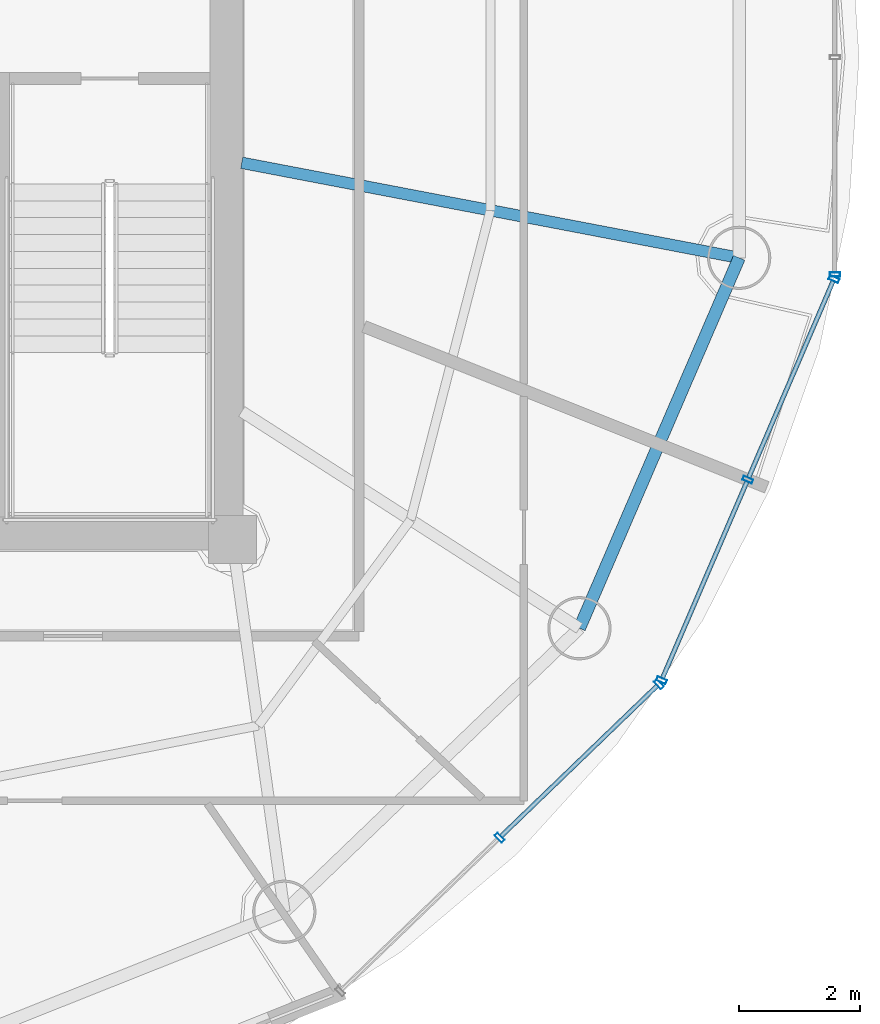
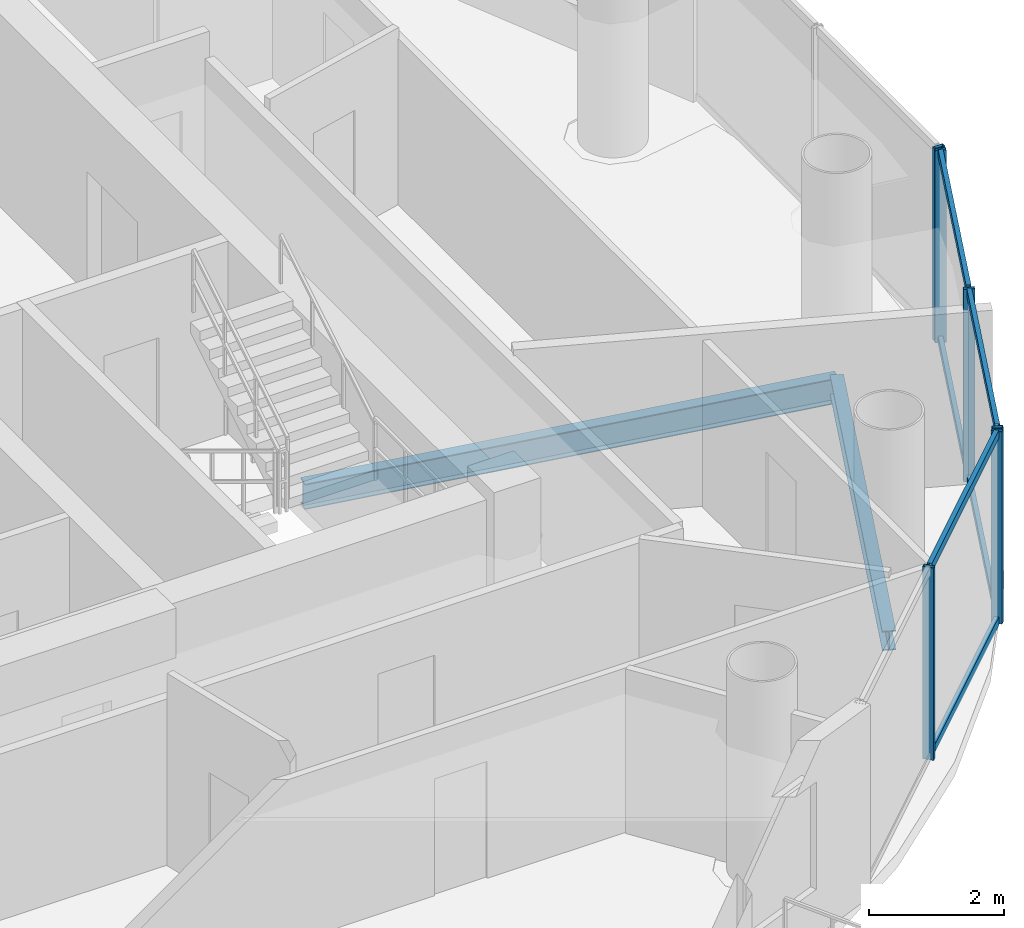
# One storey, part 10 of 23: 12 members, 2 beams, 3 elements without a shape of their own.
"""IFC4 building model written with IfcOpenShell, lengths in metres."""

from ifc_helpers import new_model, si_unit, direction, frame, origin, origin_2d, place, context, subcontext, project, spatial, hollow_rectangle, i_section, extrude, source, transform, mapped, material, material_profile, profile_set, type_object, element, aggregate, save


model = new_model("IFC4")

# Units and contexts
model_context = context("Model", 3, precision=1e-05, world=origin(), true_north=direction((-0.2419218956, 0.970295726276)))
body_context = subcontext(model_context, "Body", "Model", "MODEL_VIEW")
ifc_project = project(units=[si_unit("LENGTHUNIT", "METRE"), si_unit("AREAUNIT", "SQUARE_METRE"), si_unit("VOLUMEUNIT", "CUBIC_METRE"), si_unit("PLANEANGLEUNIT", "RADIAN"), si_unit("MASSUNIT", "GRAM", prefix="KILO")], contexts=[model_context])

# Site, building, storey
site_placement = place(None, origin())
site = spatial("IfcSite", under=ifc_project, at=site_placement, CompositionType="ELEMENT")
building_placement = place(site_placement, origin())
building = spatial("IfcBuilding", under=site, at=building_placement, Name="Cobrevalo Terracotta Tower", CompositionType="ELEMENT")
storey_placement = place(building_placement, frame((0.0, 0.0, 255.699951171875)))
storey = spatial("IfcBuildingStorey", under=building, at=storey_placement, Name="L67", CompositionType="ELEMENT", Elevation=255.699951171875)

# Beams
ifc_material_1 = material(Name="Steel S355", Category="steel")
ifc_material_profile_1 = material_profile(ifc_material_1, i_section(OverallWidth=0.19091796875, OverallDepth=0.4599609375, WebThickness=0.010009765625, FlangeThickness=0.01611328125, at=origin_2d()), Name="W 460x82")
ifc_profile_set_1 = profile_set([ifc_material_profile_1], Name="Steel S355")
beam_type_1 = type_object("IfcBeamType", Name="Structural Beam W 460x82 (Steel S355)", PredefinedType="BEAM", material=ifc_profile_set_1)
beam_1_placement = place(storey_placement, frame((55.408935546875, 23.4736328125, -0.489990234375), z_axis=(-0.982229562106, 0.187683476432, 0.0), x_axis=(-0.187683476432, -0.982229562106, 0.0)))
element("IfcBeam", 1, at=beam_1_placement, inside=storey, type_object=beam_type_1, Name="L67 radial floor girder 16", PredefinedType="BEAM", context=body_context, shape_type="SweptSolid", body=[
    extrude(i_section(OverallWidth=0.19091796875, OverallDepth=0.4599609375, WebThickness=0.010009765625, FlangeThickness=0.01611328125, at=origin_2d()), origin(), (0.0, 0.0, 1.0), 8.4033203125),
])
ifc_material_profile_2 = material_profile(ifc_material_1, i_section(OverallWidth=0.205078125, OverallDepth=0.35400390625, WebThickness=0.009521484375, FlangeThickness=0.016845703125, at=origin_2d()), Name="W 360x79")
ifc_profile_set_2 = profile_set([ifc_material_profile_2], Name="Steel S355")
beam_type_2 = type_object("IfcBeamType", Name="Structural Spandrel W 360x79 (Steel S355)", PredefinedType="SPANDREL", material=ifc_profile_set_2)
beam_2_placement = place(storey_placement, frame((52.758544921875, 17.32763671875, -0.43701171875), z_axis=(0.395987390706, 0.918255948198, 0.0), x_axis=(-0.918255948198, 0.395987390706, 0.0)))
element("IfcBeam", 2, at=beam_2_placement, inside=storey, type_object=beam_type_2, Name="L67 perimeter ring spandrel 15", PredefinedType="SPANDREL", context=body_context, shape_type="SweptSolid", body=[
    extrude(i_section(OverallWidth=0.205078125, OverallDepth=0.35400390625, WebThickness=0.009521484375, FlangeThickness=0.016845703125, at=origin_2d()), origin(), (0.0, 0.0, 1.0), 6.693115234375),
])

# Curtain wall, members
ifc_material_2 = material(Name="Anodized aluminium", Category="aluminium")
curtain_wall_type = type_object("IfcCurtainWallType", Name="Upper-tower triple-glazed penthouse curtain wall CW-U3", PredefinedType="NOTDEFINED", material=ifc_material_2)
curtain_wall_1_placement = place(storey_placement, origin())
curtain_wall_1 = element("IfcCurtainWall", 3, at=curtain_wall_1_placement, inside=storey, type_object=curtain_wall_type, Name="L67 curtain wall CW-L67-S14", PredefinedType="NOTDEFINED")
ifc_material_profile_3 = material_profile(ifc_material_2, hollow_rectangle(XDim=0.070068359375, YDim=0.169921875, WallThickness=0.00439453125, at=origin_2d()), Name="CWM 70x170")
ifc_profile_set_3 = profile_set([ifc_material_profile_3], Name="Anodized aluminium")
member_type_1 = type_object("IfcMemberType", Name="Upper tower unitised mullion 70x170", PredefinedType="MULLION", material=ifc_profile_set_3)
shared_shape_1 = source(origin(), body_context, "Body", "SweptSolid", [
    extrude(hollow_rectangle(XDim=0.070068359375, YDim=0.169921875, WallThickness=0.00439453125, at=origin_2d()), origin(), (0.0, 0.0, 1.0), 3.489990234375),
])
member_1_placement = place(storey_placement, frame((51.43359375, 13.85205078125, 0.0), z_axis=(0.0, 0.0, 1.0), x_axis=(0.71999418085, 0.69398010025, 0.0)))
member_1 = element("IfcMember", 4, at=member_1_placement, type_object=member_type_1, Name="CW-L67-S14 vertical mullion 02", PredefinedType="MULLION", context=body_context, shape_type="MappedRepresentation", body=[
    mapped(shared_shape_1, transform((0.0, 0.0, 0.0), scale=1.0)),
])
member_2_placement = place(storey_placement, frame((54.07666015625, 16.399658203125, 0.0), z_axis=(0.0, 0.0, 1.0), x_axis=(0.71999418085, 0.69398010025, 0.0)))
member_2 = element("IfcMember", 5, at=member_2_placement, type_object=member_type_1, Name="CW-L67-S14 vertical mullion 03", PredefinedType="MULLION", context=body_context, shape_type="MappedRepresentation", body=[
    mapped(shared_shape_1, transform((0.0, 0.0, 0.0), scale=1.0)),
])

curtain_wall_2_placement = place(storey_placement, origin())
curtain_wall_2 = element("IfcCurtainWall", 6, at=curtain_wall_2_placement, inside=storey, type_object=curtain_wall_type, Name="L67 curtain wall CW-L67-S15", PredefinedType="NOTDEFINED")
member_3_placement = place(storey_placement, frame((54.121337890625, 16.46435546875, 0.0), z_axis=(0.0, 0.0, 1.0), x_axis=(0.39482403454, 0.91875675875, 0.0)))
member_3 = element("IfcMember", 7, at=member_3_placement, type_object=member_type_1, Name="CW-L67-S15 vertical mullion 01", PredefinedType="MULLION", context=body_context, shape_type="MappedRepresentation", body=[
    mapped(shared_shape_1, transform((0.0, 0.0, 0.0), scale=1.0)),
])
member_4_placement = place(storey_placement, frame((55.5517578125, 19.79248046875, 0.0), z_axis=(0.0, 0.0, 1.0), x_axis=(0.39482403454, 0.91875675875, 0.0)))
member_4 = element("IfcMember", 8, at=member_4_placement, type_object=member_type_1, Name="CW-L67-S15 vertical mullion 02", PredefinedType="MULLION", context=body_context, shape_type="MappedRepresentation", body=[
    mapped(shared_shape_1, transform((0.0, 0.0, 0.0), scale=1.0)),
])
member_5_placement = place(storey_placement, frame((56.98193359375, 23.120849609375, 0.0), z_axis=(0.0, 0.0, 1.0), x_axis=(0.39482403454, 0.91875675875, 0.0)))
member_5 = element("IfcMember", 9, at=member_5_placement, type_object=member_type_1, Name="CW-L67-S15 vertical mullion 03", PredefinedType="MULLION", context=body_context, shape_type="MappedRepresentation", body=[
    mapped(shared_shape_1, transform((0.0, 0.0, 0.0), scale=1.0)),
])

# Curtain wall, member
curtain_wall_3_placement = place(storey_placement, origin())
curtain_wall_3 = element("IfcCurtainWall", 10, at=curtain_wall_3_placement, inside=storey, type_object=curtain_wall_type, Name="L67 curtain wall CW-L67-S16", PredefinedType="NOTDEFINED")
member_6_placement = place(storey_placement, frame((56.997802734375, 23.19775390625, 0.0), z_axis=(0.0, 0.0, 1.0), x_axis=(0.0, 1.0, 0.0)))
member_6 = element("IfcMember", 11, at=member_6_placement, type_object=member_type_1, Name="CW-L67-S16 vertical mullion 01", PredefinedType="MULLION", context=body_context, shape_type="MappedRepresentation", body=[
    mapped(shared_shape_1, transform((0.0, 0.0, 0.0), scale=1.0)),
])
aggregate(curtain_wall_3, [member_6])

# Member
ifc_material_profile_4 = material_profile(ifc_material_2, hollow_rectangle(XDim=0.074951171875, YDim=0.14990234375, WallThickness=0.00439453125, at=origin_2d()), Name="CWT 75x150")
ifc_profile_set_4 = profile_set([ifc_material_profile_4], Name="Anodized aluminium")
member_type_2 = type_object("IfcMemberType", Name="Tower unitised aluminium transom 75x150", PredefinedType="USERDEFINED", material=ifc_profile_set_4)
shared_shape_2 = source(origin(), body_context, "Body", "SweptSolid", [
    extrude(hollow_rectangle(XDim=0.074951171875, YDim=0.14990234375, WallThickness=0.00439453125, at=origin_2d()), origin(), (0.0, 0.0, 1.0), 3.59130859375),
])
member_7_placement = place(storey_placement, frame((51.462158203125, 13.879638671875, 0.050048828125), z_axis=(0.719971660756, 0.694003463758, 0.0), x_axis=(-0.694003463758, 0.719971660756, 0.0)))
member_7 = element("IfcMember", 12, at=member_7_placement, type_object=member_type_2, Name="CW-L67-S14 transom B02-T1", ObjectType="TRANSOM", PredefinedType="USERDEFINED", context=body_context, shape_type="MappedRepresentation", body=[
    mapped(shared_shape_2, transform((0.0, 0.0, 0.0), scale=1.0)),
])

member_8_placement = place(storey_placement, frame((51.462158203125, 13.879638671875, 3.43994140625), z_axis=(0.719971660756, 0.694003463758, 0.0), x_axis=(-0.694003463758, 0.719971660756, 0.0)))
member_8 = element("IfcMember", 13, at=member_8_placement, type_object=member_type_2, Name="CW-L67-S14 transom B02-T2", ObjectType="TRANSOM", PredefinedType="USERDEFINED", context=body_context, shape_type="MappedRepresentation", body=[
    mapped(shared_shape_2, transform((0.0, 0.0, 0.0), scale=1.0)),
])

aggregate(curtain_wall_1, [member_1, member_2, member_7, member_8])

shared_shape_3 = source(origin(), body_context, "Body", "SweptSolid", [
    extrude(hollow_rectangle(XDim=0.074951171875, YDim=0.14990234375, WallThickness=0.00439453125, at=origin_2d()), origin(), (0.0, 0.0, 1.0), 3.542724609375),
])
member_9_placement = place(storey_placement, frame((54.13720703125, 16.5009765625, 0.050048828125), z_axis=(0.394809056766, 0.918763195114, 0.0), x_axis=(-0.918763195114, 0.394809056766, 0.0)))
member_9 = element("IfcMember", 14, at=member_9_placement, type_object=member_type_2, Name="CW-L67-S15 transom B01-T1", ObjectType="TRANSOM", PredefinedType="USERDEFINED", context=body_context, shape_type="MappedRepresentation", body=[
    mapped(shared_shape_3, transform((0.0, 0.0, 0.0), scale=1.0)),
])

member_10_placement = place(storey_placement, frame((54.13720703125, 16.5009765625, 3.43994140625), z_axis=(0.394809056766, 0.918763195114, 0.0), x_axis=(-0.918763195114, 0.394809056766, 0.0)))
member_10 = element("IfcMember", 15, at=member_10_placement, type_object=member_type_2, Name="CW-L67-S15 transom B01-T2", ObjectType="TRANSOM", PredefinedType="USERDEFINED", context=body_context, shape_type="MappedRepresentation", body=[
    mapped(shared_shape_3, transform((0.0, 0.0, 0.0), scale=1.0)),
])

member_11_placement = place(storey_placement, frame((55.5673828125, 19.829345703125, 0.050048828125), z_axis=(0.394867226589, 0.918738196314, 0.0), x_axis=(-0.918738196314, 0.394867226589, 0.0)))
member_11 = element("IfcMember", 16, at=member_11_placement, type_object=member_type_2, Name="CW-L67-S15 transom B02-T1", ObjectType="TRANSOM", PredefinedType="USERDEFINED", context=body_context, shape_type="MappedRepresentation", body=[
    mapped(shared_shape_3, transform((0.0, 0.0, 0.0), scale=1.0)),
])

member_12_placement = place(storey_placement, frame((55.5673828125, 19.829345703125, 3.43994140625), z_axis=(0.394867226589, 0.918738196314, 0.0), x_axis=(-0.918738196314, 0.394867226589, 0.0)))
member_12 = element("IfcMember", 17, at=member_12_placement, type_object=member_type_2, Name="CW-L67-S15 transom B02-T2", ObjectType="TRANSOM", PredefinedType="USERDEFINED", context=body_context, shape_type="MappedRepresentation", body=[
    mapped(shared_shape_3, transform((0.0, 0.0, 0.0), scale=1.0)),
])

aggregate(curtain_wall_2, [member_3, member_4, member_5, member_9, member_10, member_11, member_12])

save(model, "model.ifc")
